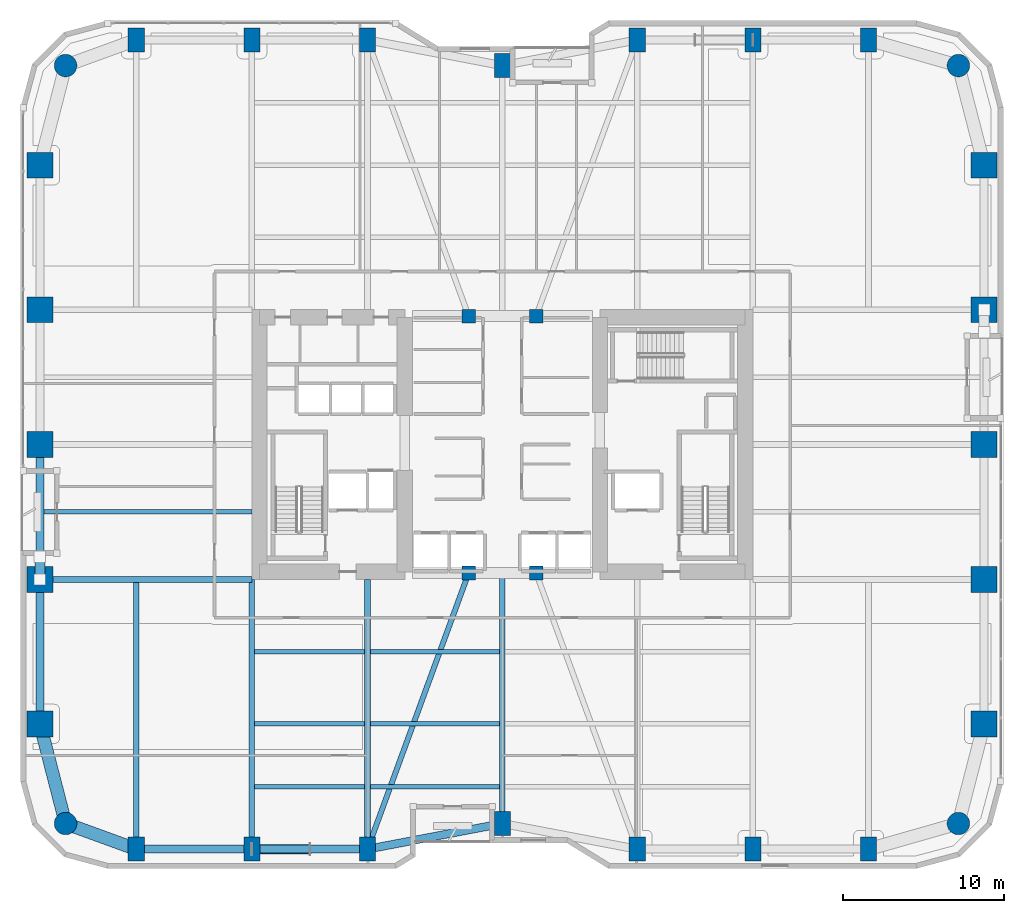
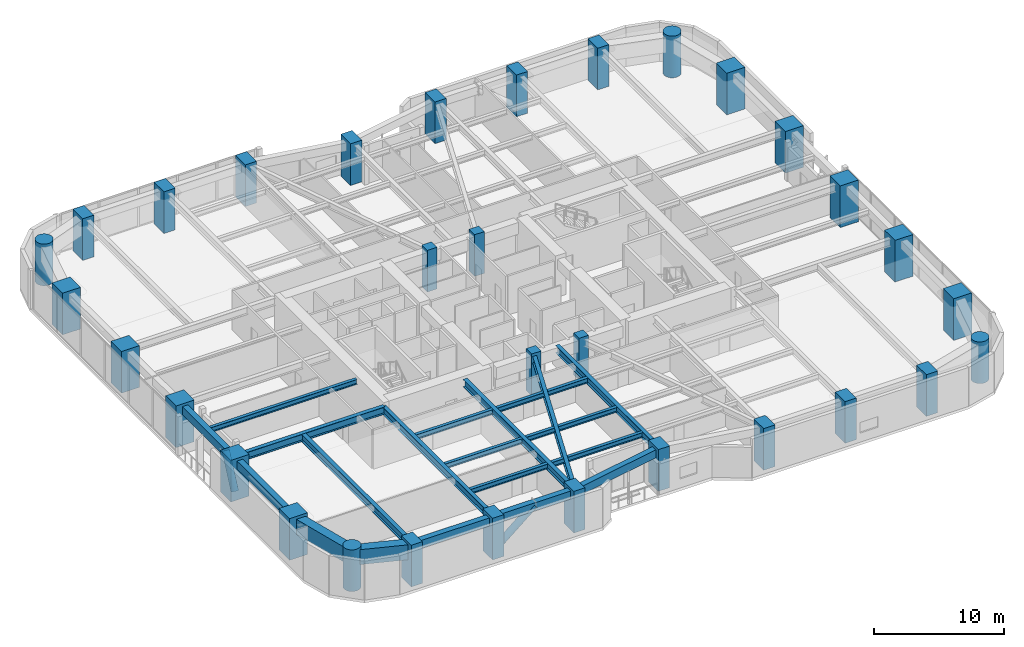
# One storey, part 1 of 28: 32 columns, 20 beams, 2 members.
"""IFC4 building model written with IfcOpenShell, lengths in metres."""

from ifc_helpers import new_model, si_unit, direction, frame, origin, origin_2d, place, context, subcontext, project, spatial, rectangle, circle, hollow_circle, i_section, extrude, material, material_profile, profile_set, type_object, element, save


model = new_model("IFC4")

# Units and contexts
model_context = context("Model", 3, precision=1e-05, world=origin(), true_north=direction((0.0, 1.0)))
body_context = subcontext(model_context, "Body", "Model", "MODEL_VIEW")
ifc_project = project(units=[si_unit("LENGTHUNIT", "METRE"), si_unit("AREAUNIT", "SQUARE_METRE"), si_unit("VOLUMEUNIT", "CUBIC_METRE"), si_unit("PLANEANGLEUNIT", "RADIAN"), si_unit("MASSUNIT", "GRAM", prefix="KILO")], contexts=[model_context])

# Site, building, storey
site_placement = place(None, origin())
site = spatial("IfcSite", under=ifc_project, at=site_placement, CompositionType="ELEMENT")
building_placement = place(site_placement, origin())
building = spatial("IfcBuilding", under=site, at=building_placement, Name="Kiyonajd Concourse Tower", CompositionType="ELEMENT")
storey_placement = place(building_placement, frame((0.0, 0.0, 37.199951171875)))
storey = spatial("IfcBuildingStorey", under=building, at=storey_placement, Name="L10", CompositionType="ELEMENT", Elevation=37.199951171875)

# Columns
ifc_material_1 = material(Name="Concrete C80/95", Category="concrete")
ifc_material_profile_1 = material_profile(ifc_material_1, rectangle(XDim=1.0, YDim=1.5, at=origin_2d()), Name="RC-1500x1000")
ifc_profile_set_1 = profile_set([ifc_material_profile_1], Name="Concrete C80/95")
column_type_1 = type_object("IfcColumnType", Name="CL-BLADE-1500", PredefinedType="COLUMN", material=ifc_profile_set_1)
for number, where, z_axis, x_axis, name in (
    (1, (25.199951171875, 10.800048828125, 0.0), (0.0, 0.0, 1.0), (1.0, 0.0, 0.0), "L10 Perimeter Bundled Tube Column"),
    (2, (25.199951171875, 61.199951171875, 0.0), (0.0, 0.0, 1.0), (1.0, 0.0, 0.0), "L10 Perimeter Bundled Tube Column"),
    (3, (32.39990234375, 10.800048828125, 0.0), (0.0, 0.0, 1.0), (1.0, 0.0, 0.0), "L10 Perimeter Bundled Tube Column"),
    (4, (32.39990234375, 61.199951171875, 0.0), (0.0, 0.0, 1.0), (1.0, 0.0, 0.0), "L10 Perimeter Bundled Tube Column"),
    (5, (39.60009765625, 10.800048828125, 0.0), (0.0, 0.0, 1.0), (1.0, 0.0, 0.0), "L10 Perimeter Bundled Tube Column"),
    (6, (39.60009765625, 61.199951171875, 0.0), (0.0, 0.0, 1.0), (1.0, 0.0, 0.0), "L10 Perimeter Bundled Tube Column"),
    (7, (48.0, 12.39990234375, 0.0), (0.0, 0.0, 1.0), (1.0, 0.0, 0.0), "L10 Perimeter Bundled Tube Column"),
    (8, (48.0, 59.60009765625, 0.0), (0.0, 0.0, 1.0), (1.0, 0.0, 0.0), "L10 Perimeter Bundled Tube Column"),
    (9, (56.39990234375, 10.800048828125, 0.0), (0.0, 0.0, 1.0), (1.0, 0.0, 0.0), "L10 Perimeter Bundled Tube Column"),
    (10, (56.39990234375, 61.199951171875, 0.0), (0.0, 0.0, 1.0), (1.0, 0.0, 0.0), "L10 Perimeter Bundled Tube Column"),
    (11, (63.60009765625, 10.800048828125, 0.0), (0.0, 0.0, 1.0), (1.0, 0.0, 0.0), "L10 Perimeter Bundled Tube Column"),
    (12, (63.60009765625, 61.199951171875, 0.0), (0.0, 0.0, 1.0), (1.0, 0.0, 0.0), "L10 Perimeter Bundled Tube Column"),
    (13, (70.800048828125, 10.800048828125, 0.0), (0.0, 0.0, 1.0), (1.0, 0.0, 0.0), "L10 Perimeter Bundled Tube Column"),
    (14, (70.800048828125, 61.199951171875, 0.0), (0.0, 0.0, 1.0), (1.0, 0.0, 0.0), "L10 Perimeter Bundled Tube Column"),
):
    element("IfcColumn", number, at=place(storey_placement, frame(where, z_axis=z_axis, x_axis=x_axis)), inside=storey, type_object=column_type_1, Name=name, PredefinedType="COLUMN", context=body_context, shape_type="SweptSolid", body=[
        extrude(rectangle(XDim=1.0, YDim=1.5, at=origin_2d()), origin(), (0.0, 0.0, 1.0), 3.900146484375),
    ])
ifc_material_profile_2 = material_profile(ifc_material_1, circle(Radius=0.699951171875, at=origin_2d()), Name="RCC-D1400")
ifc_profile_set_2 = profile_set([ifc_material_profile_2], Name="Concrete C80/95")
column_type_2 = type_object("IfcColumnType", Name="CL-RND-1400", PredefinedType="COLUMN", material=ifc_profile_set_2)
for number, where, z_axis, x_axis, name in (
    (15, (20.800048828125, 12.39990234375, 0.0), (0.0, 0.0, 1.0), (1.0, 0.0, 0.0), "L10 Bundled Tube Corner Column South West"),
    (16, (76.39990234375, 12.39990234375, 0.0), (0.0, 0.0, 1.0), (1.0, 0.0, 0.0), "L10 Bundled Tube Corner Column South East"),
    (17, (76.39990234375, 59.60009765625, 0.0), (0.0, 0.0, 1.0), (1.0, 0.0, 0.0), "L10 Bundled Tube Corner Column North East"),
    (18, (20.800048828125, 59.60009765625, 0.0), (0.0, 0.0, 1.0), (1.0, 0.0, 0.0), "L10 Bundled Tube Corner Column North West"),
):
    element("IfcColumn", number, at=place(storey_placement, frame(where, z_axis=z_axis, x_axis=x_axis)), inside=storey, type_object=column_type_2, Name=name, PredefinedType="COLUMN", context=body_context, shape_type="SweptSolid", body=[
        extrude(circle(Radius=0.699951171875, at=origin_2d()), origin(), (0.0, 0.0, 1.0), 3.900146484375),
    ])
ifc_material_profile_3 = material_profile(ifc_material_1, rectangle(XDim=1.60009765625, YDim=1.60009765625, at=origin_2d()), Name="RC-1600x1600")
ifc_profile_set_3 = profile_set([ifc_material_profile_3], Name="Concrete C80/95")
column_type_3 = type_object("IfcColumnType", Name="CL-TUBE-1600", PredefinedType="COLUMN", material=ifc_profile_set_3)
for number, where, z_axis, x_axis, name in (
    (19, (19.199951171875, 18.60009765625, 0.0), (0.0, 0.0, 1.0), (1.0, 0.0, 0.0), "L10 Perimeter Bundled Tube Column"),
    (20, (78.0, 18.60009765625, 0.0), (0.0, 0.0, 1.0), (1.0, 0.0, 0.0), "L10 Perimeter Bundled Tube Column"),
    (21, (19.199951171875, 27.60009765625, 0.0), (0.0, 0.0, 1.0), (1.0, 0.0, 0.0), "L10 Perimeter Bundled Tube Column"),
    (22, (78.0, 27.60009765625, 0.0), (0.0, 0.0, 1.0), (1.0, 0.0, 0.0), "L10 Perimeter Bundled Tube Column"),
    (23, (19.199951171875, 36.0, 0.0), (0.0, 0.0, 1.0), (1.0, 0.0, 0.0), "L10 Perimeter Bundled Tube Column"),
    (24, (78.0, 36.0, 0.0), (0.0, 0.0, 1.0), (1.0, 0.0, 0.0), "L10 Perimeter Bundled Tube Column"),
    (25, (19.199951171875, 44.39990234375, 0.0), (0.0, 0.0, 1.0), (1.0, 0.0, 0.0), "L10 Perimeter Bundled Tube Column"),
    (26, (78.0, 44.39990234375, 0.0), (0.0, 0.0, 1.0), (1.0, 0.0, 0.0), "L10 Perimeter Bundled Tube Column"),
    (27, (19.199951171875, 53.39990234375, 0.0), (0.0, 0.0, 1.0), (1.0, 0.0, 0.0), "L10 Perimeter Bundled Tube Column"),
    (28, (78.0, 53.39990234375, 0.0), (0.0, 0.0, 1.0), (1.0, 0.0, 0.0), "L10 Perimeter Bundled Tube Column"),
):
    element("IfcColumn", number, at=place(storey_placement, frame(where, z_axis=z_axis, x_axis=x_axis)), inside=storey, type_object=column_type_3, Name=name, PredefinedType="COLUMN", context=body_context, shape_type="SweptSolid", body=[
        extrude(rectangle(XDim=1.60009765625, YDim=1.60009765625, at=origin_2d()), origin(), (0.0, 0.0, 1.0), 3.900146484375),
    ])
ifc_material_2 = material(Name="Concrete C60/75", Category="concrete")
ifc_material_profile_4 = material_profile(ifc_material_2, rectangle(XDim=0.85009765625, YDim=0.85009765625, at=origin_2d()), Name="RC-850x850")
ifc_profile_set_4 = profile_set([ifc_material_profile_4], Name="Concrete C60/75")
column_type_4 = type_object("IfcColumnType", Name="CL-TUBE-850", PredefinedType="COLUMN", material=ifc_profile_set_4)
for number, where, z_axis, x_axis, name in (
    (29, (45.89990234375, 28.0, 0.0), (0.0, 0.0, 1.0), (1.0, 0.0, 0.0), "L10 Core Tie Column South West"),
    (30, (50.10009765625, 28.0, 0.0), (0.0, 0.0, 1.0), (1.0, 0.0, 0.0), "L10 Core Tie Column South East"),
    (31, (45.89990234375, 44.0, 0.0), (0.0, 0.0, 1.0), (1.0, 0.0, 0.0), "L10 Core Tie Column North West"),
    (32, (50.10009765625, 44.0, 0.0), (0.0, 0.0, 1.0), (1.0, 0.0, 0.0), "L10 Core Tie Column North East"),
):
    element("IfcColumn", number, at=place(storey_placement, frame(where, z_axis=z_axis, x_axis=x_axis)), inside=storey, type_object=column_type_4, Name=name, PredefinedType="COLUMN", context=body_context, shape_type="SweptSolid", body=[
        extrude(rectangle(XDim=0.85009765625, YDim=0.85009765625, at=origin_2d()), origin(), (0.0, 0.0, 1.0), 3.900146484375),
    ])

# Beams
ifc_material_3 = material(Name="Steel ASTM A992 Grade 50", Category="steel")
ifc_material_profile_5 = material_profile(ifc_material_3, i_section(OverallWidth=0.280029296875, OverallDepth=0.462890625, WebThickness=0.0107421875, FlangeThickness=0.017333984375, at=origin_2d()), Name="W460X113")
ifc_profile_set_5 = profile_set([ifc_material_profile_5], Name="Steel ASTM A992 Grade 50")
beam_type_1 = type_object("IfcBeamType", Name="BM-JST-460A", PredefinedType="JOIST", material=ifc_profile_set_5)
beam_1_placement = place(storey_placement, frame((32.577392578125, 14.699951171875, 3.408447265625), z_axis=(1.0, 0.0, 0.0), x_axis=(0.0, 1.0, 0.0)))
element("IfcBeam", 33, at=beam_1_placement, inside=storey, type_object=beam_type_1, Name="L10 Secondary Floor Joist", PredefinedType="JOIST", context=body_context, shape_type="SweptSolid", body=[
    extrude(i_section(OverallWidth=0.280029296875, OverallDepth=0.462890625, WebThickness=0.0107421875, FlangeThickness=0.017333984375, at=origin_2d()), origin(), (0.0, 0.0, 1.0), 6.84521484375),
])
beam_2_placement = place(storey_placement, frame((39.777587890625, 14.699951171875, 3.408447265625), z_axis=(1.0, 0.0, 0.0), x_axis=(0.0, 1.0, 0.0)))
element("IfcBeam", 34, at=beam_2_placement, inside=storey, type_object=beam_type_1, Name="L10 Secondary Floor Joist", PredefinedType="JOIST", context=body_context, shape_type="SweptSolid", body=[
    extrude(i_section(OverallWidth=0.280029296875, OverallDepth=0.462890625, WebThickness=0.0107421875, FlangeThickness=0.017333984375, at=origin_2d()), origin(), (0.0, 0.0, 1.0), 8.044921875),
])
beam_3_placement = place(storey_placement, frame((32.577392578125, 18.60009765625, 3.408447265625), z_axis=(1.0, 0.0, 0.0), x_axis=(0.0, 1.0, 0.0)))
element("IfcBeam", 35, at=beam_3_placement, inside=storey, type_object=beam_type_1, Name="L10 Secondary Floor Joist", PredefinedType="JOIST", context=body_context, shape_type="SweptSolid", body=[
    extrude(i_section(OverallWidth=0.280029296875, OverallDepth=0.462890625, WebThickness=0.0107421875, FlangeThickness=0.017333984375, at=origin_2d()), origin(), (0.0, 0.0, 1.0), 6.84521484375),
])
beam_4_placement = place(storey_placement, frame((39.777587890625, 18.60009765625, 3.408447265625), z_axis=(1.0, 0.0, 0.0), x_axis=(0.0, 1.0, 0.0)))
element("IfcBeam", 36, at=beam_4_placement, inside=storey, type_object=beam_type_1, Name="L10 Secondary Floor Joist", PredefinedType="JOIST", context=body_context, shape_type="SweptSolid", body=[
    extrude(i_section(OverallWidth=0.280029296875, OverallDepth=0.462890625, WebThickness=0.0107421875, FlangeThickness=0.017333984375, at=origin_2d()), origin(), (0.0, 0.0, 1.0), 8.044921875),
])
beam_5_placement = place(storey_placement, frame((32.577392578125, 23.10009765625, 3.408447265625), z_axis=(1.0, 0.0, 0.0), x_axis=(0.0, 1.0, 0.0)))
element("IfcBeam", 37, at=beam_5_placement, inside=storey, type_object=beam_type_1, Name="L10 Secondary Floor Joist", PredefinedType="JOIST", context=body_context, shape_type="SweptSolid", body=[
    extrude(i_section(OverallWidth=0.280029296875, OverallDepth=0.462890625, WebThickness=0.0107421875, FlangeThickness=0.017333984375, at=origin_2d()), origin(), (0.0, 0.0, 1.0), 6.84521484375),
])
beam_6_placement = place(storey_placement, frame((39.777587890625, 23.10009765625, 3.408447265625), z_axis=(1.0, 0.0, 0.0), x_axis=(0.0, 1.0, 0.0)))
element("IfcBeam", 38, at=beam_6_placement, inside=storey, type_object=beam_type_1, Name="L10 Secondary Floor Joist", PredefinedType="JOIST", context=body_context, shape_type="SweptSolid", body=[
    extrude(i_section(OverallWidth=0.280029296875, OverallDepth=0.462890625, WebThickness=0.0107421875, FlangeThickness=0.017333984375, at=origin_2d()), origin(), (0.0, 0.0, 1.0), 8.044921875),
])
beam_7_placement = place(storey_placement, frame((19.449951171875, 31.800048828125, 3.408447265625), z_axis=(1.0, 0.0, 0.0), x_axis=(0.0, 1.0, 0.0)))
element("IfcBeam", 39, at=beam_7_placement, inside=storey, type_object=beam_type_1, Name="L10 West Secondary Floor Joist", PredefinedType="JOIST", context=body_context, shape_type="SweptSolid", body=[
    extrude(i_section(OverallWidth=0.280029296875, OverallDepth=0.462890625, WebThickness=0.0107421875, FlangeThickness=0.017333984375, at=origin_2d()), origin(), (0.0, 0.0, 1.0), 12.949951171875),
])
ifc_material_4 = material(Name="Precast concrete C50/60", Category="concrete")
ifc_material_profile_6 = material_profile(ifc_material_4, rectangle(XDim=0.5, YDim=0.75, at=origin_2d()), Name="RCBM-500x750")
ifc_profile_set_6 = profile_set([ifc_material_profile_6], Name="Precast concrete C50/60")
beam_type_2 = type_object("IfcBeamType", Name="BM-SPAN-RC", PredefinedType="SPANDREL", material=ifc_profile_set_6)
beam_8_placement = place(storey_placement, frame((19.199951171875, 27.60009765625, 3.26513671875), z_axis=(0.0, -1.0, 0.0), x_axis=(1.0, 0.0, 0.0)))
element("IfcBeam", 40, at=beam_8_placement, inside=storey, type_object=beam_type_2, Name="L10 Perimeter Bundled Tube Spandrel", PredefinedType="SPANDREL", context=body_context, shape_type="SweptSolid", body=[
    extrude(rectangle(XDim=0.5, YDim=0.75, at=origin_2d()), origin(), (0.0, 0.0, 1.0), 9.0),
])
beam_9_placement = place(storey_placement, frame((25.199951171875, 10.800048828125, 3.26513671875), z_axis=(1.0, 0.0, 0.0), x_axis=(0.0, 1.0, 0.0)))
element("IfcBeam", 41, at=beam_9_placement, inside=storey, type_object=beam_type_2, Name="L10 Perimeter Bundled Tube Spandrel", PredefinedType="SPANDREL", context=body_context, shape_type="SweptSolid", body=[
    extrude(rectangle(XDim=0.5, YDim=0.75, at=origin_2d()), origin(), (0.0, 0.0, 1.0), 7.199951171875),
])
beam_10_placement = place(storey_placement, frame((32.39990234375, 10.800048828125, 3.26513671875), z_axis=(1.0, 0.0, 0.0), x_axis=(0.0, 1.0, 0.0)))
element("IfcBeam", 42, at=beam_10_placement, inside=storey, type_object=beam_type_2, Name="L10 Perimeter Bundled Tube Spandrel", PredefinedType="SPANDREL", context=body_context, shape_type="SweptSolid", body=[
    extrude(rectangle(XDim=0.5, YDim=0.75, at=origin_2d()), origin(), (0.0, 0.0, 1.0), 7.2001953125),
])
beam_11_placement = place(storey_placement, frame((39.60009765625, 10.800048828125, 3.26513671875), z_axis=(0.982341315253, 0.187097675953, 0.0), x_axis=(-0.187097675953, 0.982341315253, 0.0)))
element("IfcBeam", 43, at=beam_11_placement, inside=storey, type_object=beam_type_2, Name="L10 Perimeter Bundled Tube Spandrel", PredefinedType="SPANDREL", context=body_context, shape_type="SweptSolid", body=[
    extrude(rectangle(XDim=0.5, YDim=0.75, at=origin_2d()), origin(), (0.0, 0.0, 1.0), 8.55078125),
])
beam_12_placement = place(storey_placement, frame((19.199951171875, 36.0, 3.26513671875), z_axis=(0.0, -1.0, 0.0), x_axis=(1.0, 0.0, 0.0)))
element("IfcBeam", 44, at=beam_12_placement, inside=storey, type_object=beam_type_2, Name="L10 Perimeter Bundled Tube Spandrel", PredefinedType="SPANDREL", context=body_context, shape_type="SweptSolid", body=[
    extrude(rectangle(XDim=0.5, YDim=0.75, at=origin_2d()), origin(), (0.0, 0.0, 1.0), 8.39990234375),
])
ifc_material_profile_7 = material_profile(ifc_material_3, i_section(OverallWidth=0.326904296875, OverallDepth=0.6220703125, WebThickness=0.015380859375, FlangeThickness=0.0244140625, at=origin_2d()), Name="W610X195")
ifc_profile_set_7 = profile_set([ifc_material_profile_7], Name="Steel ASTM A992 Grade 50")
beam_type_3 = type_object("IfcBeamType", Name="BM-TWR-610A", PredefinedType="BEAM", material=ifc_profile_set_7)
beam_13_placement = place(storey_placement, frame((39.60009765625, 10.800048828125, 3.3291015625), z_axis=(0.343925269715, 0.938997022813, 0.0), x_axis=(-0.938997022813, 0.343925269715, 0.0)))
element("IfcBeam", 45, at=beam_13_placement, inside=storey, type_object=beam_type_3, Name="L10 Core Tie Girder", PredefinedType="BEAM", context=body_context, shape_type="SweptSolid", body=[
    extrude(i_section(OverallWidth=0.326904296875, OverallDepth=0.6220703125, WebThickness=0.015380859375, FlangeThickness=0.0244140625, at=origin_2d()), origin(), (0.0, 0.0, 1.0), 18.3173828125),
])
ifc_material_profile_8 = material_profile(ifc_material_3, i_section(OverallWidth=0.35498046875, OverallDepth=0.695068359375, WebThickness=0.015380859375, FlangeThickness=0.02490234375, at=origin_2d()), Name="W690X217")
ifc_profile_set_8 = profile_set([ifc_material_profile_8], Name="Steel ASTM A992 Grade 50")
beam_type_4 = type_object("IfcBeamType", Name="BM-TWR-690", PredefinedType="BEAM", material=ifc_profile_set_8)
for number, where, z_axis, x_axis, name in (
    (46, (25.199951171875, 10.800048828125, 3.29248046875), (0.0, 1.0, 0.0), (-1.0, 0.0, 0.0), "L10 South Lease Girder"),
    (47, (32.39990234375, 10.800048828125, 3.29248046875), (0.0, 1.0, 0.0), (-1.0, 0.0, 0.0), "L10 South Lease Girder"),
    (48, (39.60009765625, 10.800048828125, 3.29248046875), (0.0, 1.0, 0.0), (-1.0, 0.0, 0.0), "L10 South Lease Girder"),
):
    element("IfcBeam", number, at=place(storey_placement, frame(where, z_axis=z_axis, x_axis=x_axis)), inside=storey, type_object=beam_type_4, Name=name, PredefinedType="BEAM", context=body_context, shape_type="SweptSolid", body=[
        extrude(i_section(OverallWidth=0.35498046875, OverallDepth=0.695068359375, WebThickness=0.015380859375, FlangeThickness=0.02490234375, at=origin_2d()), origin(), (0.0, 0.0, 1.0), 16.800048828125),
    ])
beam_14_placement = place(storey_placement, frame((48.0, 12.39990234375, 3.29248046875), z_axis=(0.0, 1.0, 0.0), x_axis=(-1.0, 0.0, 0.0)))
element("IfcBeam", 49, at=beam_14_placement, inside=storey, type_object=beam_type_4, Name="L10 South Ribbon Girder", PredefinedType="BEAM", context=body_context, shape_type="SweptSolid", body=[
    extrude(i_section(OverallWidth=0.35498046875, OverallDepth=0.695068359375, WebThickness=0.015380859375, FlangeThickness=0.02490234375, at=origin_2d()), origin(), (0.0, 0.0, 1.0), 15.60009765625),
])
beam_15_placement = place(storey_placement, frame((19.199951171875, 27.60009765625, 3.29248046875), z_axis=(1.0, 0.0, 0.0), x_axis=(0.0, 1.0, 0.0)))
element("IfcBeam", 50, at=beam_15_placement, inside=storey, type_object=beam_type_4, Name="L10 West Lease Girder", PredefinedType="BEAM", context=body_context, shape_type="SweptSolid", body=[
    extrude(i_section(OverallWidth=0.35498046875, OverallDepth=0.695068359375, WebThickness=0.015380859375, FlangeThickness=0.02490234375, at=origin_2d()), origin(), (0.0, 0.0, 1.0), 13.199951171875),
])
ifc_material_profile_9 = material_profile(ifc_material_2, rectangle(XDim=0.800048828125, YDim=1.39990234375, at=origin_2d()), Name="RCBM-800x1400")
ifc_profile_set_9 = profile_set([ifc_material_profile_9], Name="Concrete C60/75")
beam_type_5 = type_object("IfcBeamType", Name="BM-XFER-RC", PredefinedType="BEAM", material=ifc_profile_set_9)
beam_16_placement = place(storey_placement, frame((19.199951171875, 18.60009765625, 2.93994140625), z_axis=(0.249884937687, -0.968275538221, 0.0), x_axis=(0.968275538221, 0.249884937687, 0.0)))
element("IfcBeam", 51, at=beam_16_placement, inside=storey, type_object=beam_type_5, Name="L10 Perimeter Bundled Tube Spandrel", PredefinedType="BEAM", context=body_context, shape_type="SweptSolid", body=[
    extrude(rectangle(XDim=0.800048828125, YDim=1.39990234375, at=origin_2d()), origin(), (0.0, 0.0, 1.0), 6.4033203125),
])
beam_17_placement = place(storey_placement, frame((20.800048828125, 12.39990234375, 2.93994140625), z_axis=(0.939801036019, -0.341722127901, 0.0), x_axis=(0.341722127901, 0.939801036019, 0.0)))
element("IfcBeam", 52, at=beam_17_placement, inside=storey, type_object=beam_type_5, Name="L10 Perimeter Bundled Tube Spandrel", PredefinedType="BEAM", context=body_context, shape_type="SweptSolid", body=[
    extrude(rectangle(XDim=0.800048828125, YDim=1.39990234375, at=origin_2d()), origin(), (0.0, 0.0, 1.0), 4.681640625),
])

# Members
ifc_material_5 = material(Name="Steel ASTM A572 Grade 50", Category="steel")
ifc_material_profile_10 = material_profile(ifc_material_5, hollow_circle(Radius=0.304931640625, WallThickness=0.02490234375, at=origin_2d()), Name="CHS-610x25")
ifc_profile_set_10 = profile_set([ifc_material_profile_10], Name="Steel ASTM A572 Grade 50")
member_type = type_object("IfcMemberType", Name="MB-PB-LOW", PredefinedType="BRACE", material=ifc_profile_set_10)
member_1_placement = place(storey_placement, frame((32.39990234375, 10.800048828125, 0.300048828125), z_axis=(0.769280705518, 0.0, 0.638910945373), x_axis=(0.0, 1.0, 0.0)))
element("IfcMember", 53, at=member_1_placement, inside=storey, type_object=member_type, Name="L10 Lower Zone Welded Tube Brace PBS", PredefinedType="BRACE", context=body_context, shape_type="SweptSolid", body=[
    extrude(hollow_circle(Radius=0.304931640625, WallThickness=0.02490234375, at=origin_2d()), origin(), (0.0, 0.0, 1.0), 4.679931640625),
])
member_2_placement = place(storey_placement, frame((19.199951171875, 27.60009765625, 0.300048828125), z_axis=(0.0, 0.424022702926, 0.905651559598), x_axis=(-1.0, 0.0, 0.0)))
element("IfcMember", 54, at=member_2_placement, inside=storey, type_object=member_type, Name="L10 Lower Zone Welded Tube Brace PBW", PredefinedType="BRACE", context=body_context, shape_type="SweptSolid", body=[
    extrude(hollow_circle(Radius=0.304931640625, WallThickness=0.02490234375, at=origin_2d()), origin(), (0.0, 0.0, 1.0), 3.301513671875),
])

save(model, "model.ifc")
